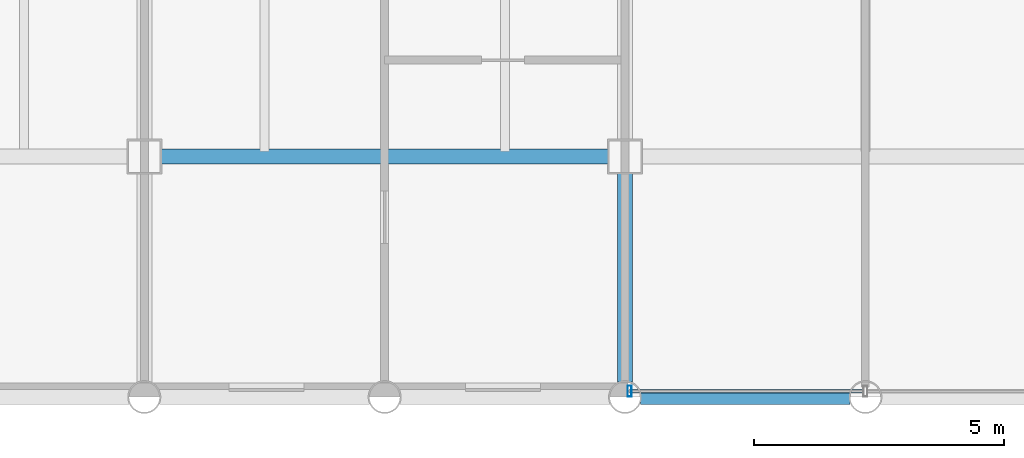
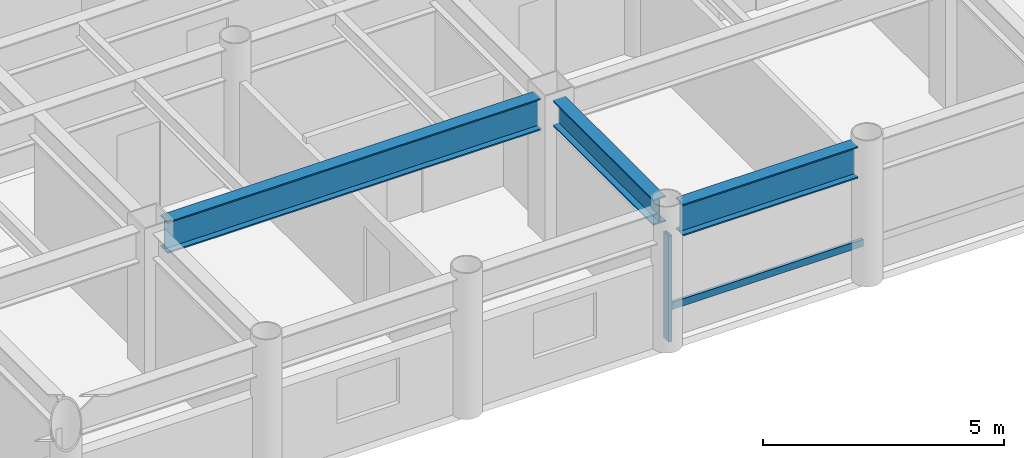
# One storey, part 2 of 21: 3 beams, 2 members, 1 element without a shape of its own.
"""IFC4 building model written with IfcOpenShell, lengths in metres."""

from ifc_helpers import new_model, si_unit, direction, frame, origin, origin_2d, place, context, subcontext, project, spatial, hollow_rectangle, i_section, extrude, material, layer, layer_set, material_profile, profile_set, type_object, element, aggregate, save


model = new_model("IFC4")

# Units and contexts
model_context = context("Model", 3, precision=1e-05, world=origin(), true_north=direction((0.0, 1.0)))
body_context = subcontext(model_context, "Body", "Model", "MODEL_VIEW")
ifc_project = project(units=[si_unit("LENGTHUNIT", "METRE"), si_unit("AREAUNIT", "SQUARE_METRE"), si_unit("VOLUMEUNIT", "CUBIC_METRE"), si_unit("PLANEANGLEUNIT", "RADIAN"), si_unit("MASSUNIT", "GRAM", prefix="KILO")], contexts=[model_context])

# Site, building, storey
site_placement = place(None, origin())
site = spatial("IfcSite", under=ifc_project, at=site_placement, CompositionType="ELEMENT")
building_placement = place(site_placement, origin())
building = spatial("IfcBuilding", under=site, at=building_placement, Name="Kallvorn Hotel Tower", CompositionType="ELEMENT")
storey_placement = place(building_placement, frame((0.0, 0.0, 139.60009765625)))
storey = spatial("IfcBuildingStorey", under=building, at=storey_placement, Name="L34", CompositionType="ELEMENT", Elevation=139.60009765625)

# Beams
ifc_material_1 = material(Name="Structural steel S355JR", Category="steel")
ifc_material_profile_1 = material_profile(ifc_material_1, i_section(OverallWidth=0.300048828125, OverallDepth=0.64990234375, WebThickness=0.01611328125, FlangeThickness=0.031005859375, at=origin_2d()), Name="HE 650 B")
ifc_profile_set_1 = profile_set([ifc_material_profile_1], Name="Structural steel S355JR")
beam_type_1 = type_object("IfcBeamType", Name="BM_HE650B", PredefinedType="BEAM", material=ifc_profile_set_1)
beam_1_placement = place(storey_placement, frame((-4.800048828125, -18.89501953125, 3.19482421875), z_axis=(0.0, 1.0, 0.0), x_axis=(-1.0, 0.0, 0.0)))
element("IfcBeam", 1, at=beam_1_placement, inside=storey, type_object=beam_type_1, Name="L35 Primary Y-Girder 106", PredefinedType="BEAM", context=body_context, shape_type="SweptSolid", body=[
    extrude(i_section(OverallWidth=0.300048828125, OverallDepth=0.64990234375, WebThickness=0.01611328125, FlangeThickness=0.031005859375, at=origin_2d()), origin(), (0.0, 0.0, 1.0), 4.169921875),
])
ifc_material_2 = material(Name="Structural steel S355JR", Category="steel")
ifc_material_profile_2 = material_profile(ifc_material_2, i_section(OverallWidth=0.300048828125, OverallDepth=0.800048828125, WebThickness=0.017578125, FlangeThickness=0.032958984375, at=origin_2d()), Name="HE 800 B")
ifc_profile_set_2 = profile_set([ifc_material_profile_2], Name="Structural steel S355JR")
beam_type_2 = type_object("IfcBeamType", Name="BM_HE800B", PredefinedType="BEAM", material=ifc_profile_set_2)
beam_2_placement = place(storey_placement, frame((-4.4951171875, -19.199951171875, 3.119873046875), z_axis=(1.0, 0.0, 0.0), x_axis=(0.0, 1.0, 0.0)))
element("IfcBeam", 2, at=beam_2_placement, inside=storey, type_object=beam_type_2, Name="L35 Primary X-Girder 06", PredefinedType="BEAM", context=body_context, shape_type="SweptSolid", body=[
    extrude(i_section(OverallWidth=0.300048828125, OverallDepth=0.800048828125, WebThickness=0.017578125, FlangeThickness=0.032958984375, at=origin_2d()), origin(), (0.0, 0.0, 1.0), 4.190185546875),
])
beam_3_placement = place(storey_placement, frame((-14.074951171875, -14.39990234375, 3.119873046875), z_axis=(1.0, 0.0, 0.0), x_axis=(0.0, 1.0, 0.0)))
element("IfcBeam", 3, at=beam_3_placement, inside=storey, type_object=beam_type_2, Name="L35 Primary X-Girder 17", PredefinedType="BEAM", context=body_context, shape_type="SweptSolid", body=[
    extrude(i_section(OverallWidth=0.300048828125, OverallDepth=0.800048828125, WebThickness=0.017578125, FlangeThickness=0.032958984375, at=origin_2d()), origin(), (0.0, 0.0, 1.0), 8.949951171875),
])

# Curtain wall, members
ifc_material_3 = material(Name="Thermally broken black-anodised aluminium AA 6063-T6", Category="aluminium")
ifc_layer = layer(ifc_material_3, 0.2099609375)
ifc_layer_set = layer_set([ifc_layer], Name="CW_SYS_4_HOTEL_MID")
curtain_wall_type = type_object("IfcCurtainWallType", Name="CW_SYS_4_HOTEL_MID", PredefinedType="USERDEFINED", material=ifc_layer_set)
curtain_wall_placement = place(storey_placement, origin())
curtain_wall = element("IfcCurtainWall", 4, at=curtain_wall_placement, inside=storey, type_object=curtain_wall_type, Name="L34 Dark-Glass Curtain Wall CW-L34-SC", ObjectType="UNITISED CURTAIN WALL", PredefinedType="USERDEFINED")
ifc_material_4 = material(Name="Thermally broken black-anodised aluminium AA 6063-T6", Category="aluminium")
ifc_material_profile_3 = material_profile(ifc_material_4, hollow_rectangle(XDim=0.080078125, YDim=0.219970703125, WallThickness=0.0048828125, at=origin_2d()), Name="MUL 220x80")
ifc_profile_set_3 = profile_set([ifc_material_profile_3], Name="Thermally broken black-anodised aluminium AA 6063-T6")
member_type_1 = type_object("IfcMemberType", Name="CW_MULLION_220x80", PredefinedType="MULLION", material=ifc_profile_set_3)
member_1_placement = place(storey_placement, frame((-4.7099609375, -19.080078125, 0.02001953125), z_axis=(0.0, 0.0, 1.0), x_axis=(1.0, 0.0, 0.0)))
member_1 = element("IfcMember", 5, at=member_1_placement, type_object=member_type_1, Name="CW-L34-SC Mullion 00", PredefinedType="MULLION", context=body_context, shape_type="SweptSolid", body=[
    extrude(hollow_rectangle(XDim=0.080078125, YDim=0.219970703125, WallThickness=0.0048828125, at=origin_2d()), origin(), (0.0, 0.0, 1.0), 2.679931640625),
])
ifc_material_5 = material(Name="Thermally broken black-anodised aluminium AA 6063-T6", Category="aluminium")
ifc_material_profile_4 = material_profile(ifc_material_5, hollow_rectangle(XDim=0.070068359375, YDim=0.179931640625, WallThickness=0.00390625, at=origin_2d()), Name="TRN 180x70")
ifc_profile_set_4 = profile_set([ifc_material_profile_4], Name="Thermally broken black-anodised aluminium AA 6063-T6")
member_type_2 = type_object("IfcMemberType", Name="CW_TRANSOM_180x70", PredefinedType="USERDEFINED", material=ifc_profile_set_4)
member_2_placement = place(storey_placement, frame((-4.7099609375, -19.080078125, 0.849853515625), z_axis=(1.0, 0.0, 0.0), x_axis=(0.0, 1.0, 0.0)))
member_2 = element("IfcMember", 6, at=member_2_placement, type_object=member_type_2, Name="CW-L34-SC Transom 00M", ObjectType="TRANSOM", PredefinedType="USERDEFINED", context=body_context, shape_type="SweptSolid", body=[
    extrude(hollow_rectangle(XDim=0.070068359375, YDim=0.179931640625, WallThickness=0.00390625, at=origin_2d()), origin(), (0.0, 0.0, 1.0), 4.669921875),
])
aggregate(curtain_wall, [member_1, member_2])

save(model, "model.ifc")
